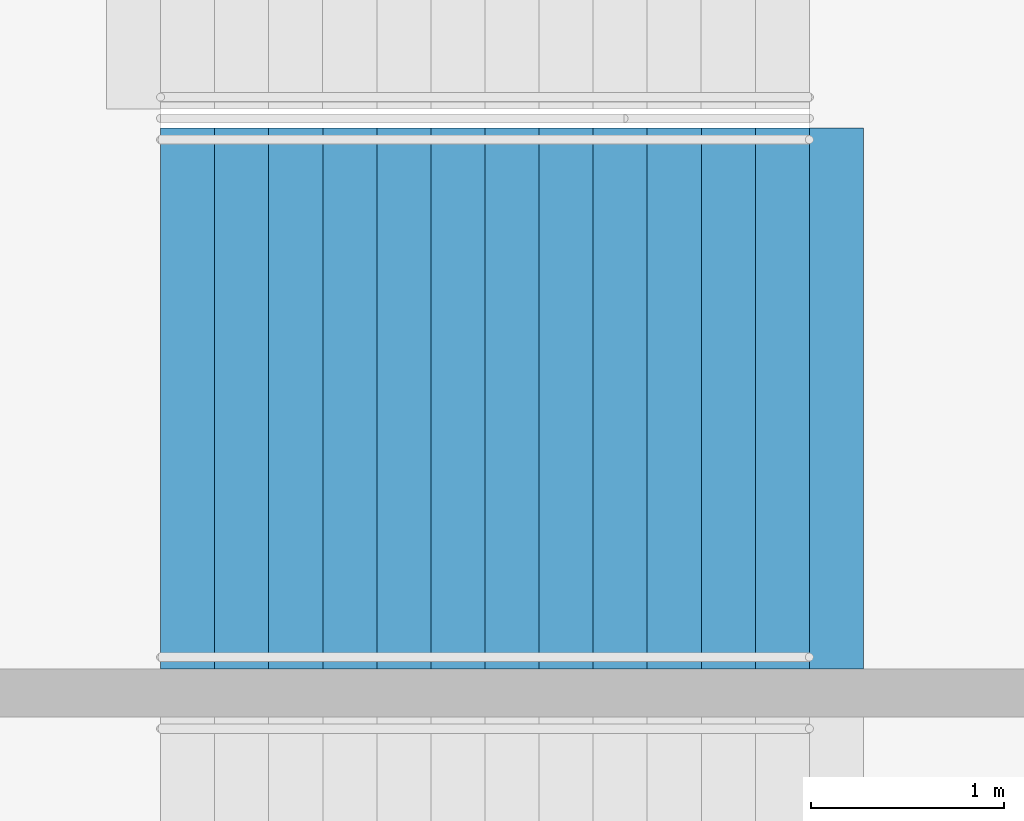
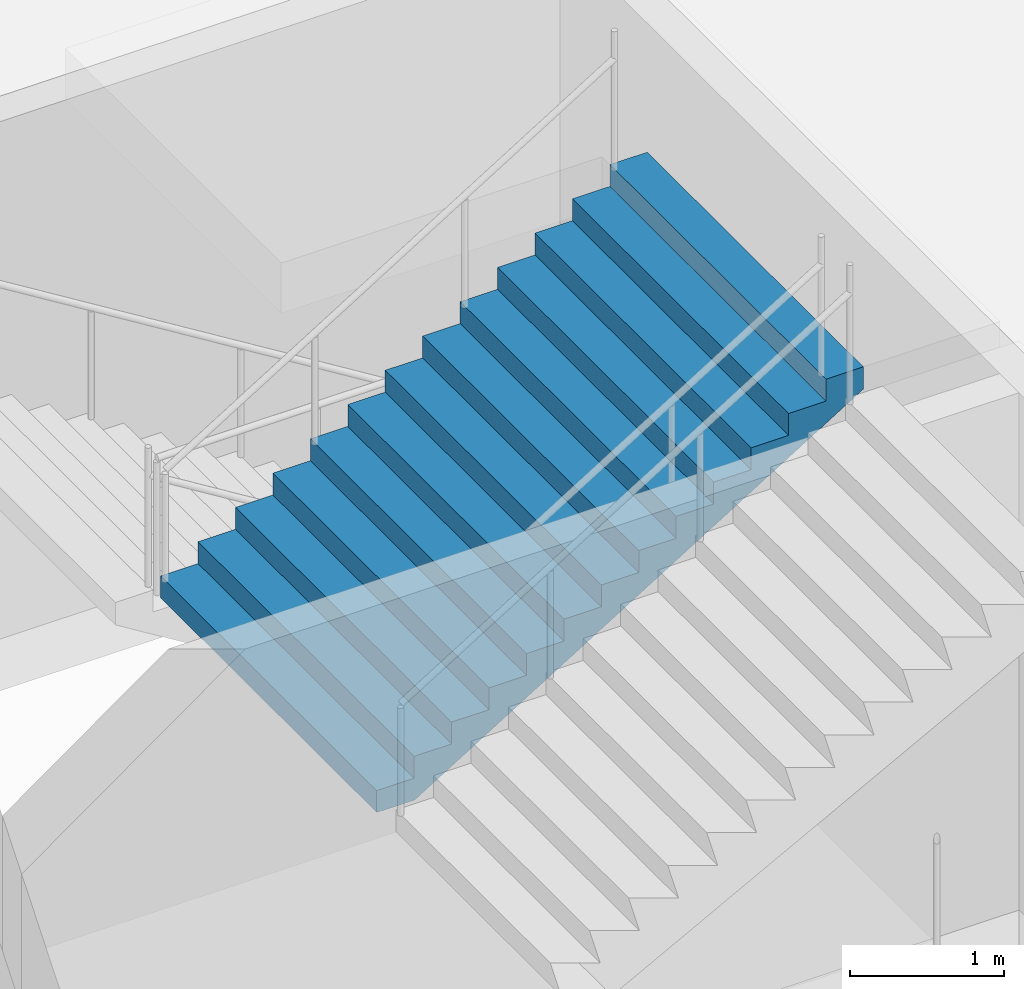
# One storey, part 125 of 199: 1 stair flight, 1 element without a shape of its own.
"""IFC4 building model written with IfcOpenShell, lengths in metres."""

from ifc_helpers import new_model, si_unit, direction, frame, origin, place, context, subcontext, project, spatial, faceted_brep, material, type_object, element, aggregate, save


model = new_model("IFC4")

# Units and contexts
model_context = context("Model", 3, precision=1e-05, world=origin(), true_north=direction((0.0, 1.0)))
body_context = subcontext(model_context, "Body", "Model", "MODEL_VIEW")
ifc_project = project(units=[si_unit("LENGTHUNIT", "METRE"), si_unit("AREAUNIT", "SQUARE_METRE"), si_unit("VOLUMEUNIT", "CUBIC_METRE"), si_unit("PLANEANGLEUNIT", "RADIAN"), si_unit("MASSUNIT", "GRAM", prefix="KILO")], contexts=[model_context])

# Site, building, storey
site_placement = place(None, origin())
site = spatial("IfcSite", under=ifc_project, at=site_placement, CompositionType="ELEMENT")
building_placement = place(site_placement, origin())
building = spatial("IfcBuilding", under=site, at=building_placement, Name="Ogive Plaza Stadium", CompositionType="ELEMENT")
storey_placement = place(building_placement, frame((0.0, 0.0, 9.0)))
storey = spatial("IfcBuildingStorey", under=building, at=storey_placement, Name="L02", CompositionType="ELEMENT", Elevation=9.0)

# Stair, stair flight
ifc_material_1 = material(Name="Concrete C40/50", Category="concrete")
stair_type = type_object("IfcStairType", Name="Exit stair", PredefinedType="STRAIGHT_RUN_STAIR", material=ifc_material_1)
stair_placement = place(storey_placement, origin())
stair = element("IfcStair", 1, at=stair_placement, inside=storey, type_object=stair_type, Name="Exit stair ST22A L02 to L03", PredefinedType="STRAIGHT_RUN_STAIR")
ifc_material_2 = material(Name="Concrete C40/50", Category="concrete")
stair_flight_type = type_object("IfcStairFlightType", Name="Exit stair flight", PredefinedType="STRAIGHT", material=ifc_material_2)
stair_flight_placement = place(storey_placement, frame((-79.7099609375, -35.97509765625, 2.25), z_axis=(0.0, 0.0, 1.0), x_axis=(1.0, 0.0, 0.0)))
stair_flight = element("IfcStairFlight", 2, at=stair_flight_placement, type_object=stair_flight_type, Name="ST22A flight 2", NumberOfRisers=13, NumberOfTreads=12, PredefinedType="STRAIGHT", RiserHeight=0.173076923, TreadLength=0.28, context=body_context, shape_type="Brep", body=[
    faceted_brep([(0.28515625, -1.39990234375, 0.0), (3.639892578125, -1.39990234375, 2.07373046875), (3.639892578125, -1.39990234375, 2.25), (3.360107421875, -1.39990234375, 2.25), (3.360107421875, -1.39990234375, 2.076904296875), (3.080078125, -1.39990234375, 2.076904296875), (3.080078125, -1.39990234375, 1.90380859375), (2.800048828125, -1.39990234375, 1.90380859375), (2.800048828125, -1.39990234375, 1.730712890625), (2.52001953125, -1.39990234375, 1.730712890625), (2.52001953125, -1.39990234375, 1.5576171875), (2.239990234375, -1.39990234375, 1.5576171875), (2.239990234375, -1.39990234375, 1.384521484375), (1.9599609375, -1.39990234375, 1.384521484375), (1.9599609375, -1.39990234375, 1.21142578125), (1.679931640625, -1.39990234375, 1.21142578125), (1.679931640625, -1.39990234375, 1.03857421875), (1.39990234375, -1.39990234375, 1.03857421875), (1.39990234375, -1.39990234375, 0.865478515625), (1.1201171875, -1.39990234375, 0.865478515625), (1.1201171875, -1.39990234375, 0.6923828125), (0.840087890625, -1.39990234375, 0.6923828125), (0.840087890625, -1.39990234375, 0.519287109375), (0.56005859375, -1.39990234375, 0.519287109375), (0.56005859375, -1.39990234375, 0.34619140625), (0.280029296875, -1.39990234375, 0.34619140625), (0.280029296875, -1.39990234375, 0.173095703125), (0.0, -1.39990234375, 0.173095703125), (0.0, -1.39990234375, 0.0), (0.0, 1.39990234375, 0.0), (0.0, 1.39990234375, 0.173095703125), (0.280029296875, 1.39990234375, 0.173095703125), (0.280029296875, 1.39990234375, 0.34619140625), (0.56005859375, 1.39990234375, 0.34619140625), (0.56005859375, 1.39990234375, 0.519287109375), (0.840087890625, 1.39990234375, 0.519287109375), (0.840087890625, 1.39990234375, 0.6923828125), (1.1201171875, 1.39990234375, 0.6923828125), (1.1201171875, 1.39990234375, 0.865478515625), (1.39990234375, 1.39990234375, 0.865478515625), (1.39990234375, 1.39990234375, 1.03857421875), (1.679931640625, 1.39990234375, 1.03857421875), (1.679931640625, 1.39990234375, 1.21142578125), (1.9599609375, 1.39990234375, 1.21142578125), (1.9599609375, 1.39990234375, 1.384521484375), (2.239990234375, 1.39990234375, 1.384521484375), (2.239990234375, 1.39990234375, 1.5576171875), (2.52001953125, 1.39990234375, 1.5576171875), (2.52001953125, 1.39990234375, 1.730712890625), (2.800048828125, 1.39990234375, 1.730712890625), (2.800048828125, 1.39990234375, 1.90380859375), (3.080078125, 1.39990234375, 1.90380859375), (3.080078125, 1.39990234375, 2.076904296875), (3.360107421875, 1.39990234375, 2.076904296875), (3.360107421875, 1.39990234375, 2.25), (3.639892578125, 1.39990234375, 2.25), (3.639892578125, 1.39990234375, 2.07373046875), (0.28515625, 1.39990234375, 0.0), (0.28515625, -1.0888671875, 0.0), (3.639892578125, -1.0888671875, 2.07373046875), (0.28515625, -0.77783203125, 0.0), (3.639892578125, -0.77783203125, 2.07373046875), (0.28515625, -0.466796875, 0.0), (3.639892578125, -0.466796875, 2.07373046875), (0.28515625, -0.155517578125, 0.0), (3.639892578125, -0.155517578125, 2.07373046875), (0.28515625, 0.155517578125, 0.0), (3.639892578125, 0.155517578125, 2.07373046875), (0.28515625, 0.466796875, 0.0), (3.639892578125, 0.466796875, 2.07373046875), (0.28515625, 0.77783203125, 0.0), (3.639892578125, 0.77783203125, 2.07373046875), (0.28515625, 1.0888671875, 0.0), (3.639892578125, 1.0888671875, 2.07373046875), (3.639892578125, -1.0888671875, 2.25), (3.639892578125, -0.77783203125, 2.25), (3.639892578125, -0.466796875, 2.25), (3.639892578125, -0.155517578125, 2.25), (3.639892578125, 0.155517578125, 2.25), (3.639892578125, 0.466796875, 2.25), (3.639892578125, 0.77783203125, 2.25), (3.639892578125, 1.0888671875, 2.25), (3.360107421875, -1.0888671875, 2.25), (3.360107421875, -0.77783203125, 2.25), (3.360107421875, -0.466796875, 2.25), (3.360107421875, -0.155517578125, 2.25), (3.360107421875, 0.155517578125, 2.25), (3.360107421875, 0.466796875, 2.25), (3.360107421875, 0.77783203125, 2.25), (3.360107421875, 1.0888671875, 2.25), (3.360107421875, -1.0888671875, 2.076904296875), (3.360107421875, -0.77783203125, 2.076904296875), (3.360107421875, -0.466796875, 2.076904296875), (3.360107421875, -0.155517578125, 2.076904296875), (3.360107421875, 0.155517578125, 2.076904296875), (3.360107421875, 0.466796875, 2.076904296875), (3.360107421875, 0.77783203125, 2.076904296875), (3.360107421875, 1.0888671875, 2.076904296875), (3.080078125, -1.0888671875, 2.076904296875), (3.080078125, -0.77783203125, 2.076904296875), (3.080078125, -0.466796875, 2.076904296875), (3.080078125, -0.155517578125, 2.076904296875), (3.080078125, 0.155517578125, 2.076904296875), (3.080078125, 0.466796875, 2.076904296875), (3.080078125, 0.77783203125, 2.076904296875), (3.080078125, 1.0888671875, 2.076904296875), (3.080078125, -1.0888671875, 1.90380859375), (3.080078125, -0.77783203125, 1.90380859375), (3.080078125, -0.466796875, 1.90380859375), (3.080078125, -0.155517578125, 1.90380859375), (3.080078125, 0.155517578125, 1.90380859375), (3.080078125, 0.466796875, 1.90380859375), (3.080078125, 0.77783203125, 1.90380859375), (3.080078125, 1.0888671875, 1.90380859375), (2.800048828125, -1.0888671875, 1.90380859375), (2.800048828125, -0.77783203125, 1.90380859375), (2.800048828125, -0.466796875, 1.90380859375), (2.800048828125, -0.155517578125, 1.90380859375), (2.800048828125, 0.155517578125, 1.90380859375), (2.800048828125, 0.466796875, 1.90380859375), (2.800048828125, 0.77783203125, 1.90380859375), (2.800048828125, 1.0888671875, 1.90380859375), (2.800048828125, -1.0888671875, 1.730712890625), (2.800048828125, -0.77783203125, 1.730712890625), (2.800048828125, -0.466796875, 1.730712890625), (2.800048828125, -0.155517578125, 1.730712890625), (2.800048828125, 0.155517578125, 1.730712890625), (2.800048828125, 0.466796875, 1.730712890625), (2.800048828125, 0.77783203125, 1.730712890625), (2.800048828125, 1.0888671875, 1.730712890625), (2.52001953125, -1.0888671875, 1.730712890625), (2.52001953125, -0.77783203125, 1.730712890625), (2.52001953125, -0.466796875, 1.730712890625), (2.52001953125, -0.155517578125, 1.730712890625), (2.52001953125, 0.155517578125, 1.730712890625), (2.52001953125, 0.466796875, 1.730712890625), (2.52001953125, 0.77783203125, 1.730712890625), (2.52001953125, 1.0888671875, 1.730712890625), (2.52001953125, -1.0888671875, 1.5576171875), (2.52001953125, -0.77783203125, 1.5576171875), (2.52001953125, -0.466796875, 1.5576171875), (2.52001953125, -0.155517578125, 1.5576171875), (2.52001953125, 0.155517578125, 1.5576171875), (2.52001953125, 0.466796875, 1.5576171875), (2.52001953125, 0.77783203125, 1.5576171875), (2.52001953125, 1.0888671875, 1.5576171875), (2.239990234375, -1.0888671875, 1.5576171875), (2.239990234375, -0.77783203125, 1.5576171875), (2.239990234375, -0.466796875, 1.5576171875), (2.239990234375, -0.155517578125, 1.5576171875), (2.239990234375, 0.155517578125, 1.5576171875), (2.239990234375, 0.466796875, 1.5576171875), (2.239990234375, 0.77783203125, 1.5576171875), (2.239990234375, 1.0888671875, 1.5576171875), (2.239990234375, -1.0888671875, 1.384521484375), (2.239990234375, -0.77783203125, 1.384521484375), (2.239990234375, -0.466796875, 1.384521484375), (2.239990234375, -0.155517578125, 1.384521484375), (2.239990234375, 0.155517578125, 1.384521484375), (2.239990234375, 0.466796875, 1.384521484375), (2.239990234375, 0.77783203125, 1.384521484375), (2.239990234375, 1.0888671875, 1.384521484375), (1.9599609375, -1.0888671875, 1.384521484375), (1.9599609375, -0.77783203125, 1.384521484375), (1.9599609375, -0.466796875, 1.384521484375), (1.9599609375, -0.155517578125, 1.384521484375), (1.9599609375, 0.155517578125, 1.384521484375), (1.9599609375, 0.466796875, 1.384521484375), (1.9599609375, 0.77783203125, 1.384521484375), (1.9599609375, 1.0888671875, 1.384521484375), (1.9599609375, -1.0888671875, 1.21142578125), (1.9599609375, -0.77783203125, 1.21142578125), (1.9599609375, -0.466796875, 1.21142578125), (1.9599609375, -0.155517578125, 1.21142578125), (1.9599609375, 0.155517578125, 1.21142578125), (1.9599609375, 0.466796875, 1.21142578125), (1.9599609375, 0.77783203125, 1.21142578125), (1.9599609375, 1.0888671875, 1.21142578125), (1.679931640625, -1.0888671875, 1.21142578125), (1.679931640625, -0.77783203125, 1.21142578125), (1.679931640625, -0.466796875, 1.21142578125), (1.679931640625, -0.155517578125, 1.21142578125), (1.679931640625, 0.155517578125, 1.21142578125), (1.679931640625, 0.466796875, 1.21142578125), (1.679931640625, 0.77783203125, 1.21142578125), (1.679931640625, 1.0888671875, 1.21142578125), (1.679931640625, -1.0888671875, 1.03857421875), (1.679931640625, -0.77783203125, 1.03857421875), (1.679931640625, -0.466796875, 1.03857421875), (1.679931640625, -0.155517578125, 1.03857421875), (1.679931640625, 0.155517578125, 1.03857421875), (1.679931640625, 0.466796875, 1.03857421875), (1.679931640625, 0.77783203125, 1.03857421875), (1.679931640625, 1.0888671875, 1.03857421875), (1.39990234375, -1.0888671875, 1.03857421875), (1.39990234375, -0.77783203125, 1.03857421875), (1.39990234375, -0.466796875, 1.03857421875), (1.39990234375, -0.155517578125, 1.03857421875), (1.39990234375, 0.155517578125, 1.03857421875), (1.39990234375, 0.466796875, 1.03857421875), (1.39990234375, 0.77783203125, 1.03857421875), (1.39990234375, 1.0888671875, 1.03857421875), (1.39990234375, -1.0888671875, 0.865478515625), (1.39990234375, -0.77783203125, 0.865478515625), (1.39990234375, -0.466796875, 0.865478515625), (1.39990234375, -0.155517578125, 0.865478515625), (1.39990234375, 0.155517578125, 0.865478515625), (1.39990234375, 0.466796875, 0.865478515625), (1.39990234375, 0.77783203125, 0.865478515625), (1.39990234375, 1.0888671875, 0.865478515625), (1.1201171875, -1.0888671875, 0.865478515625), (1.1201171875, -0.77783203125, 0.865478515625), (1.1201171875, -0.466796875, 0.865478515625), (1.1201171875, -0.155517578125, 0.865478515625), (1.1201171875, 0.155517578125, 0.865478515625), (1.1201171875, 0.466796875, 0.865478515625), (1.1201171875, 0.77783203125, 0.865478515625), (1.1201171875, 1.0888671875, 0.865478515625), (1.1201171875, -1.0888671875, 0.6923828125), (1.1201171875, -0.77783203125, 0.6923828125), (1.1201171875, -0.466796875, 0.6923828125), (1.1201171875, -0.155517578125, 0.6923828125), (1.1201171875, 0.155517578125, 0.6923828125), (1.1201171875, 0.466796875, 0.6923828125), (1.1201171875, 0.77783203125, 0.6923828125), (1.1201171875, 1.0888671875, 0.6923828125), (0.840087890625, -1.0888671875, 0.6923828125), (0.840087890625, -0.77783203125, 0.6923828125), (0.840087890625, -0.466796875, 0.6923828125), (0.840087890625, -0.155517578125, 0.6923828125), (0.840087890625, 0.155517578125, 0.6923828125), (0.840087890625, 0.466796875, 0.6923828125), (0.840087890625, 0.77783203125, 0.6923828125), (0.840087890625, 1.0888671875, 0.6923828125), (0.840087890625, -1.0888671875, 0.519287109375), (0.840087890625, -0.77783203125, 0.519287109375), (0.840087890625, -0.466796875, 0.519287109375), (0.840087890625, -0.155517578125, 0.519287109375), (0.840087890625, 0.155517578125, 0.519287109375), (0.840087890625, 0.466796875, 0.519287109375), (0.840087890625, 0.77783203125, 0.519287109375), (0.840087890625, 1.0888671875, 0.519287109375), (0.56005859375, -1.0888671875, 0.519287109375), (0.56005859375, -0.77783203125, 0.519287109375), (0.56005859375, -0.466796875, 0.519287109375), (0.56005859375, -0.155517578125, 0.519287109375), (0.56005859375, 0.155517578125, 0.519287109375), (0.56005859375, 0.466796875, 0.519287109375), (0.56005859375, 0.77783203125, 0.519287109375), (0.56005859375, 1.0888671875, 0.519287109375), (0.56005859375, -1.0888671875, 0.34619140625), (0.56005859375, -0.77783203125, 0.34619140625), (0.56005859375, -0.466796875, 0.34619140625), (0.56005859375, -0.155517578125, 0.34619140625), (0.56005859375, 0.155517578125, 0.34619140625), (0.56005859375, 0.466796875, 0.34619140625), (0.56005859375, 0.77783203125, 0.34619140625), (0.56005859375, 1.0888671875, 0.34619140625), (0.280029296875, -1.0888671875, 0.34619140625), (0.280029296875, -0.77783203125, 0.34619140625), (0.280029296875, -0.466796875, 0.34619140625), (0.280029296875, -0.155517578125, 0.34619140625), (0.280029296875, 0.155517578125, 0.34619140625), (0.280029296875, 0.466796875, 0.34619140625), (0.280029296875, 0.77783203125, 0.34619140625), (0.280029296875, 1.0888671875, 0.34619140625), (0.280029296875, -1.0888671875, 0.173095703125), (0.280029296875, -0.77783203125, 0.173095703125), (0.280029296875, -0.466796875, 0.173095703125), (0.280029296875, -0.155517578125, 0.173095703125), (0.280029296875, 0.155517578125, 0.173095703125), (0.280029296875, 0.466796875, 0.173095703125), (0.280029296875, 0.77783203125, 0.173095703125), (0.280029296875, 1.0888671875, 0.173095703125), (0.0, -1.0888671875, 0.173095703125), (0.0, -0.77783203125, 0.173095703125), (0.0, -0.466796875, 0.173095703125), (0.0, -0.155517578125, 0.173095703125), (0.0, 0.155517578125, 0.173095703125), (0.0, 0.466796875, 0.173095703125), (0.0, 0.77783203125, 0.173095703125), (0.0, 1.0888671875, 0.173095703125), (0.0, -1.0888671875, 0.0), (0.0, -0.77783203125, 0.0), (0.0, -0.466796875, 0.0), (0.0, -0.155517578125, 0.0), (0.0, 0.155517578125, 0.0), (0.0, 0.466796875, 0.0), (0.0, 0.77783203125, 0.0), (0.0, 1.0888671875, 0.0)], [[[0, 1, 2, 3, 4, 5, 6, 7, 8, 9, 10, 11, 12, 13, 14, 15, 16, 17, 18, 19, 20, 21, 22, 23, 24, 25, 26, 27, 28]], [[29, 30, 31, 32, 33, 34, 35, 36, 37, 38, 39, 40, 41, 42, 43, 44, 45, 46, 47, 48, 49, 50, 51, 52, 53, 54, 55, 56, 57]], [[0, 58, 59, 1]], [[58, 60, 61, 59]], [[60, 62, 63, 61]], [[62, 64, 65, 63]], [[64, 66, 67, 65]], [[66, 68, 69, 67]], [[68, 70, 71, 69]], [[70, 72, 73, 71]], [[72, 57, 56, 73]], [[1, 59, 74, 2]], [[59, 61, 75, 74]], [[61, 63, 76, 75]], [[63, 65, 77, 76]], [[65, 67, 78, 77]], [[67, 69, 79, 78]], [[69, 71, 80, 79]], [[71, 73, 81, 80]], [[73, 56, 55, 81]], [[2, 74, 82, 3]], [[74, 75, 83, 82]], [[75, 76, 84, 83]], [[76, 77, 85, 84]], [[77, 78, 86, 85]], [[78, 79, 87, 86]], [[79, 80, 88, 87]], [[80, 81, 89, 88]], [[81, 55, 54, 89]], [[3, 82, 90, 4]], [[82, 83, 91, 90]], [[83, 84, 92, 91]], [[84, 85, 93, 92]], [[85, 86, 94, 93]], [[86, 87, 95, 94]], [[87, 88, 96, 95]], [[88, 89, 97, 96]], [[89, 54, 53, 97]], [[4, 90, 98, 5]], [[90, 91, 99, 98]], [[91, 92, 100, 99]], [[92, 93, 101, 100]], [[93, 94, 102, 101]], [[94, 95, 103, 102]], [[95, 96, 104, 103]], [[96, 97, 105, 104]], [[97, 53, 52, 105]], [[5, 98, 106, 6]], [[98, 99, 107, 106]], [[99, 100, 108, 107]], [[100, 101, 109, 108]], [[101, 102, 110, 109]], [[102, 103, 111, 110]], [[103, 104, 112, 111]], [[104, 105, 113, 112]], [[105, 52, 51, 113]], [[6, 106, 114, 7]], [[106, 107, 115, 114]], [[107, 108, 116, 115]], [[108, 109, 117, 116]], [[109, 110, 118, 117]], [[110, 111, 119, 118]], [[111, 112, 120, 119]], [[112, 113, 121, 120]], [[113, 51, 50, 121]], [[7, 114, 122, 8]], [[114, 115, 123, 122]], [[115, 116, 124, 123]], [[116, 117, 125, 124]], [[117, 118, 126, 125]], [[118, 119, 127, 126]], [[119, 120, 128, 127]], [[120, 121, 129, 128]], [[121, 50, 49, 129]], [[8, 122, 130, 9]], [[122, 123, 131, 130]], [[123, 124, 132, 131]], [[124, 125, 133, 132]], [[125, 126, 134, 133]], [[126, 127, 135, 134]], [[127, 128, 136, 135]], [[128, 129, 137, 136]], [[129, 49, 48, 137]], [[9, 130, 138, 10]], [[130, 131, 139, 138]], [[131, 132, 140, 139]], [[132, 133, 141, 140]], [[133, 134, 142, 141]], [[134, 135, 143, 142]], [[135, 136, 144, 143]], [[136, 137, 145, 144]], [[137, 48, 47, 145]], [[10, 138, 146, 11]], [[138, 139, 147, 146]], [[139, 140, 148, 147]], [[140, 141, 149, 148]], [[141, 142, 150, 149]], [[142, 143, 151, 150]], [[143, 144, 152, 151]], [[144, 145, 153, 152]], [[145, 47, 46, 153]], [[11, 146, 154, 12]], [[146, 147, 155, 154]], [[147, 148, 156, 155]], [[148, 149, 157, 156]], [[149, 150, 158, 157]], [[150, 151, 159, 158]], [[151, 152, 160, 159]], [[152, 153, 161, 160]], [[153, 46, 45, 161]], [[12, 154, 162, 13]], [[154, 155, 163, 162]], [[155, 156, 164, 163]], [[156, 157, 165, 164]], [[157, 158, 166, 165]], [[158, 159, 167, 166]], [[159, 160, 168, 167]], [[160, 161, 169, 168]], [[161, 45, 44, 169]], [[13, 162, 170, 14]], [[162, 163, 171, 170]], [[163, 164, 172, 171]], [[164, 165, 173, 172]], [[165, 166, 174, 173]], [[166, 167, 175, 174]], [[167, 168, 176, 175]], [[168, 169, 177, 176]], [[169, 44, 43, 177]], [[14, 170, 178, 15]], [[170, 171, 179, 178]], [[171, 172, 180, 179]], [[172, 173, 181, 180]], [[173, 174, 182, 181]], [[174, 175, 183, 182]], [[175, 176, 184, 183]], [[176, 177, 185, 184]], [[177, 43, 42, 185]], [[15, 178, 186, 16]], [[178, 179, 187, 186]], [[179, 180, 188, 187]], [[180, 181, 189, 188]], [[181, 182, 190, 189]], [[182, 183, 191, 190]], [[183, 184, 192, 191]], [[184, 185, 193, 192]], [[185, 42, 41, 193]], [[16, 186, 194, 17]], [[186, 187, 195, 194]], [[187, 188, 196, 195]], [[188, 189, 197, 196]], [[189, 190, 198, 197]], [[190, 191, 199, 198]], [[191, 192, 200, 199]], [[192, 193, 201, 200]], [[193, 41, 40, 201]], [[17, 194, 202, 18]], [[194, 195, 203, 202]], [[195, 196, 204, 203]], [[196, 197, 205, 204]], [[197, 198, 206, 205]], [[198, 199, 207, 206]], [[199, 200, 208, 207]], [[200, 201, 209, 208]], [[201, 40, 39, 209]], [[18, 202, 210, 19]], [[202, 203, 211, 210]], [[203, 204, 212, 211]], [[204, 205, 213, 212]], [[205, 206, 214, 213]], [[206, 207, 215, 214]], [[207, 208, 216, 215]], [[208, 209, 217, 216]], [[209, 39, 38, 217]], [[19, 210, 218, 20]], [[210, 211, 219, 218]], [[211, 212, 220, 219]], [[212, 213, 221, 220]], [[213, 214, 222, 221]], [[214, 215, 223, 222]], [[215, 216, 224, 223]], [[216, 217, 225, 224]], [[217, 38, 37, 225]], [[20, 218, 226, 21]], [[218, 219, 227, 226]], [[219, 220, 228, 227]], [[220, 221, 229, 228]], [[221, 222, 230, 229]], [[222, 223, 231, 230]], [[223, 224, 232, 231]], [[224, 225, 233, 232]], [[225, 37, 36, 233]], [[21, 226, 234, 22]], [[226, 227, 235, 234]], [[227, 228, 236, 235]], [[228, 229, 237, 236]], [[229, 230, 238, 237]], [[230, 231, 239, 238]], [[231, 232, 240, 239]], [[232, 233, 241, 240]], [[233, 36, 35, 241]], [[22, 234, 242, 23]], [[234, 235, 243, 242]], [[235, 236, 244, 243]], [[236, 237, 245, 244]], [[237, 238, 246, 245]], [[238, 239, 247, 246]], [[239, 240, 248, 247]], [[240, 241, 249, 248]], [[241, 35, 34, 249]], [[23, 242, 250, 24]], [[242, 243, 251, 250]], [[243, 244, 252, 251]], [[244, 245, 253, 252]], [[245, 246, 254, 253]], [[246, 247, 255, 254]], [[247, 248, 256, 255]], [[248, 249, 257, 256]], [[249, 34, 33, 257]], [[24, 250, 258, 25]], [[250, 251, 259, 258]], [[251, 252, 260, 259]], [[252, 253, 261, 260]], [[253, 254, 262, 261]], [[254, 255, 263, 262]], [[255, 256, 264, 263]], [[256, 257, 265, 264]], [[257, 33, 32, 265]], [[25, 258, 266, 26]], [[258, 259, 267, 266]], [[259, 260, 268, 267]], [[260, 261, 269, 268]], [[261, 262, 270, 269]], [[262, 263, 271, 270]], [[263, 264, 272, 271]], [[264, 265, 273, 272]], [[265, 32, 31, 273]], [[26, 266, 274, 27]], [[266, 267, 275, 274]], [[267, 268, 276, 275]], [[268, 269, 277, 276]], [[269, 270, 278, 277]], [[270, 271, 279, 278]], [[271, 272, 280, 279]], [[272, 273, 281, 280]], [[273, 31, 30, 281]], [[27, 274, 282, 28]], [[274, 275, 283, 282]], [[275, 276, 284, 283]], [[276, 277, 285, 284]], [[277, 278, 286, 285]], [[278, 279, 287, 286]], [[279, 280, 288, 287]], [[280, 281, 289, 288]], [[281, 30, 29, 289]], [[28, 282, 58, 0]], [[282, 283, 60, 58]], [[283, 284, 62, 60]], [[284, 285, 64, 62]], [[285, 286, 66, 64]], [[286, 287, 68, 66]], [[287, 288, 70, 68]], [[288, 289, 72, 70]], [[289, 29, 57, 72]]]),
])
aggregate(stair, [stair_flight])

save(model, "model.ifc")
